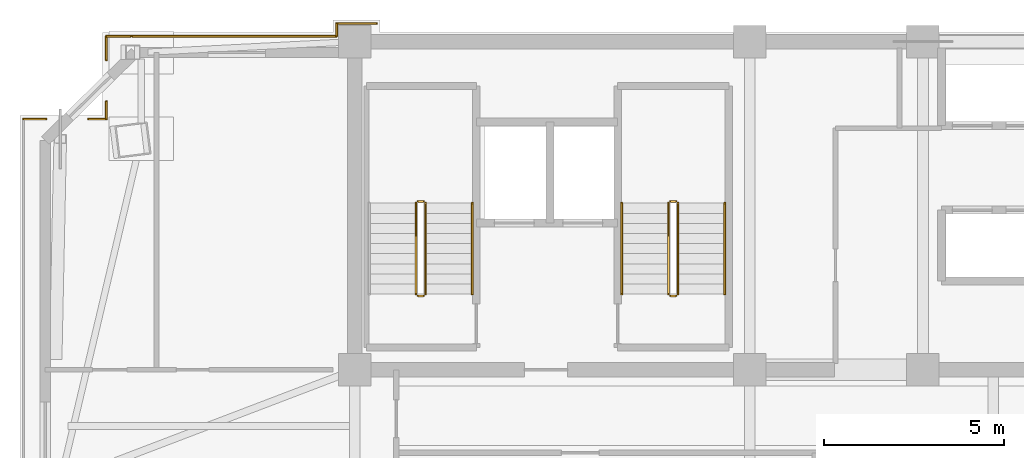
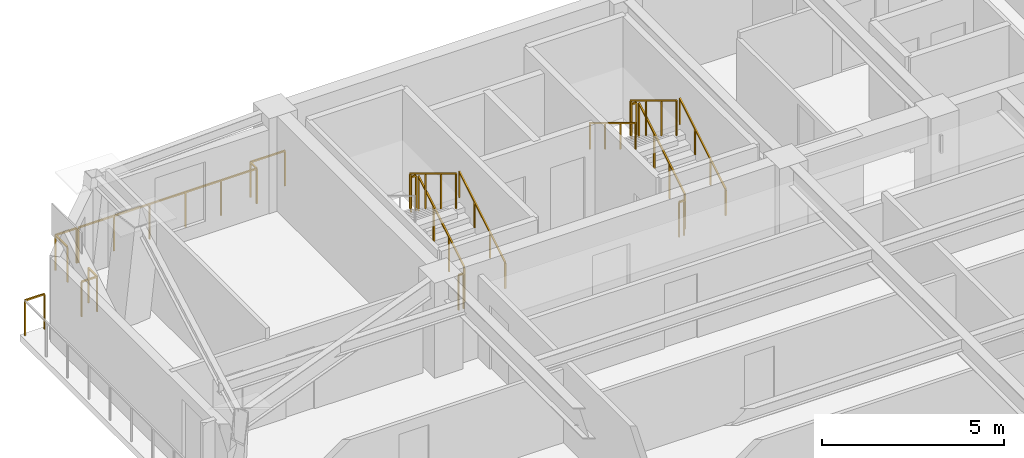
# One storey, part 11 of 13: 19 railings.
"""IFC4 building model written with IfcOpenShell, lengths in metres."""

from ifc_helpers import new_model, si_unit, direction, frame, origin, origin_2d, place, context, subcontext, project, spatial, rectangle, extrude, material, type_object, element, save


model = new_model("IFC4")

# Units and contexts
model_context = context("Model", 3, precision=1e-05, world=origin(), true_north=direction((0.0, 1.0)))
body_context = subcontext(model_context, "Body", "Model", "MODEL_VIEW")
ifc_project = project(units=[si_unit("LENGTHUNIT", "METRE"), si_unit("AREAUNIT", "SQUARE_METRE"), si_unit("VOLUMEUNIT", "CUBIC_METRE"), si_unit("PLANEANGLEUNIT", "RADIAN"), si_unit("MASSUNIT", "GRAM", prefix="KILO")], contexts=[model_context])

# Site, building, storey
site_placement = place(None, origin())
site = spatial("IfcSite", under=ifc_project, at=site_placement, CompositionType="ELEMENT")
building_placement = place(site_placement, origin())
building = spatial("IfcBuilding", under=site, at=building_placement, Name="Giltprow Tower", CompositionType="ELEMENT")
storey_placement = place(building_placement, frame((0.0, 0.0, 332.300048828125)))
storey = spatial("IfcBuildingStorey", under=building, at=storey_placement, Name="L86", CompositionType="ELEMENT", Elevation=332.300048828125)

# Railings
ifc_material = material(Name="Anodized bronze", Category="metal")
railing_type_1 = type_object("IfcRailingType", Name="RAIL-BALC-GUARD-1200", PredefinedType="BALUSTRADE", material=ifc_material)
railing_1_placement = place(storey_placement, frame((10.669921875, 44.407958984375, 0.0)))
element("IfcRailing", 1, at=railing_1_placement, inside=storey, type_object=railing_type_1, Name="L86 Corner Apron Edge Balustrade 14", PredefinedType="BALUSTRADE", context=body_context, shape_type="SweptSolid", body=[
    extrude(rectangle(XDim=0.048095703125, YDim=0.048095703125, at=origin_2d()), frame((0.0, 0.0, 1.17578125), z_axis=(1.0, 0.0, 0.0), x_axis=(0.0, 1.0, 0.0)), (0.0, 0.0, 1.0), 0.6259765625),
    extrude(rectangle(XDim=0.0419921875, YDim=0.0419921875, at=origin_2d()), origin(), (0.0, 0.0, 1.0), 1.15185546875),
    extrude(rectangle(XDim=0.0419921875, YDim=0.0419921875, at=origin_2d()), frame((0.6259765625, 0.0, 0.0)), (0.0, 0.0, 1.0), 1.15185546875),
])
railing_2_placement = place(storey_placement, frame((12.468017578125, 44.407958984375, 0.0)))
element("IfcRailing", 2, at=railing_2_placement, inside=storey, type_object=railing_type_1, Name="L86 Corner Apron Edge Balustrade 15", PredefinedType="BALUSTRADE", context=body_context, shape_type="SweptSolid", body=[
    extrude(rectangle(XDim=0.048095703125, YDim=0.048095703125, at=origin_2d()), frame((0.0, 0.0, 1.17578125), z_axis=(1.0, 0.0, 0.0), x_axis=(0.0, 1.0, 0.0)), (0.0, 0.0, 1.0), 0.493896484375),
    extrude(rectangle(XDim=0.0419921875, YDim=0.0419921875, at=origin_2d()), origin(), (0.0, 0.0, 1.0), 1.15185546875),
    extrude(rectangle(XDim=0.0419921875, YDim=0.0419921875, at=origin_2d()), frame((0.493896484375, 0.0, 0.0)), (0.0, 0.0, 1.0), 1.15185546875),
])
railing_3_placement = place(storey_placement, frame((12.9619140625, 44.407958984375, 0.0)))
element("IfcRailing", 3, at=railing_3_placement, inside=storey, type_object=railing_type_1, Name="L86 Corner Apron Edge Balustrade 16", PredefinedType="BALUSTRADE", context=body_context, shape_type="SweptSolid", body=[
    extrude(rectangle(XDim=0.048095703125, YDim=0.048095703125, at=origin_2d()), frame((0.0, 0.0, 1.17578125), z_axis=(0.0, 1.0, 0.0), x_axis=(-1.0, 0.0, 0.0)), (0.0, 0.0, 1.0), 0.484130859375),
    extrude(rectangle(XDim=0.0419921875, YDim=0.0419921875, at=origin_2d()), origin(), (0.0, 0.0, 1.0), 1.15185546875),
    extrude(rectangle(XDim=0.0419921875, YDim=0.0419921875, at=origin_2d()), frame((0.0, 0.484130859375, 0.0)), (0.0, 0.0, 1.0), 1.15185546875),
])
railing_4_placement = place(storey_placement, frame((12.9619140625, 46.0400390625, 0.0)))
element("IfcRailing", 4, at=railing_4_placement, inside=storey, type_object=railing_type_1, Name="L86 Corner Apron Edge Balustrade 17", PredefinedType="BALUSTRADE", context=body_context, shape_type="SweptSolid", body=[
    extrude(rectangle(XDim=0.048095703125, YDim=0.048095703125, at=origin_2d()), frame((0.0, 0.0, 1.17578125), z_axis=(0.0, 1.0, 0.0), x_axis=(-1.0, 0.0, 0.0)), (0.0, 0.0, 1.0), 0.659912109375),
    extrude(rectangle(XDim=0.0419921875, YDim=0.0419921875, at=origin_2d()), origin(), (0.0, 0.0, 1.0), 1.15185546875),
    extrude(rectangle(XDim=0.0419921875, YDim=0.0419921875, at=origin_2d()), frame((0.0, 0.659912109375, 0.0)), (0.0, 0.0, 1.0), 1.15185546875),
])
railing_5_placement = place(storey_placement, frame((12.9619140625, 46.699951171875, 0.0)))
element("IfcRailing", 5, at=railing_5_placement, inside=storey, type_object=railing_type_1, Name="L86 Corner Apron Edge Balustrade 18", PredefinedType="BALUSTRADE", context=body_context, shape_type="SweptSolid", body=[
    extrude(rectangle(XDim=0.048095703125, YDim=0.048095703125, at=origin_2d()), frame((0.0, 0.0, 1.17578125), z_axis=(1.0, 0.0, 0.0), x_axis=(0.0, 1.0, 0.0)), (0.0, 0.0, 1.0), 0.673095703125),
    extrude(rectangle(XDim=0.0419921875, YDim=0.0419921875, at=origin_2d()), origin(), (0.0, 0.0, 1.0), 1.15185546875),
    extrude(rectangle(XDim=0.0419921875, YDim=0.0419921875, at=origin_2d()), frame((0.673095703125, 0.0, 0.0)), (0.0, 0.0, 1.0), 1.15185546875),
])
railing_6_placement = place(storey_placement, frame((13.68505859375, 46.699951171875, 0.0)))
element("IfcRailing", 6, at=railing_6_placement, inside=storey, type_object=railing_type_1, Name="L86 Corner Apron Edge Balustrade 19", PredefinedType="BALUSTRADE", context=body_context, shape_type="SweptSolid", body=[
    extrude(rectangle(XDim=0.048095703125, YDim=0.048095703125, at=origin_2d()), frame((0.0, 0.0, 1.17578125), z_axis=(1.0, 0.0, 0.0), x_axis=(0.0, 1.0, 0.0)), (0.0, 0.0, 1.0), 5.6650390625),
    extrude(rectangle(XDim=0.0419921875, YDim=0.0419921875, at=origin_2d()), origin(), (0.0, 0.0, 1.0), 1.15185546875),
    extrude(rectangle(XDim=0.0419921875, YDim=0.0419921875, at=origin_2d()), frame((1.133056640625, 0.0, 0.0)), (0.0, 0.0, 1.0), 1.15185546875),
    extrude(rectangle(XDim=0.0419921875, YDim=0.0419921875, at=origin_2d()), frame((2.26611328125, 0.0, 0.0)), (0.0, 0.0, 1.0), 1.15185546875),
    extrude(rectangle(XDim=0.0419921875, YDim=0.0419921875, at=origin_2d()), frame((3.39892578125, 0.0, 0.0)), (0.0, 0.0, 1.0), 1.15185546875),
    extrude(rectangle(XDim=0.0419921875, YDim=0.0419921875, at=origin_2d()), frame((4.531982421875, 0.0, 0.0)), (0.0, 0.0, 1.0), 1.15185546875),
    extrude(rectangle(XDim=0.0419921875, YDim=0.0419921875, at=origin_2d()), frame((5.6650390625, 0.0, 0.0)), (0.0, 0.0, 1.0), 1.15185546875),
])
railing_7_placement = place(storey_placement, frame((19.35009765625, 46.699951171875, 0.0)))
element("IfcRailing", 7, at=railing_7_placement, inside=storey, type_object=railing_type_1, Name="L86 Corner Apron Edge Balustrade 20", PredefinedType="BALUSTRADE", context=body_context, shape_type="SweptSolid", body=[
    extrude(rectangle(XDim=0.048095703125, YDim=0.048095703125, at=origin_2d()), frame((0.0, 0.0, 1.17578125), z_axis=(0.0, 1.0, 0.0), x_axis=(-1.0, 0.0, 0.0)), (0.0, 0.0, 1.0), 0.35009765625),
    extrude(rectangle(XDim=0.0419921875, YDim=0.0419921875, at=origin_2d()), origin(), (0.0, 0.0, 1.0), 1.15185546875),
    extrude(rectangle(XDim=0.0419921875, YDim=0.0419921875, at=origin_2d()), frame((0.0, 0.35009765625, 0.0)), (0.0, 0.0, 1.0), 1.15185546875),
])
railing_8_placement = place(storey_placement, frame((19.35009765625, 47.050048828125, 0.0)))
element("IfcRailing", 8, at=railing_8_placement, inside=storey, type_object=railing_type_1, Name="L86 Corner Apron Edge Balustrade 21", PredefinedType="BALUSTRADE", context=body_context, shape_type="SweptSolid", body=[
    extrude(rectangle(XDim=0.048095703125, YDim=0.048095703125, at=origin_2d()), frame((0.0, 0.0, 1.17578125), z_axis=(1.0, 0.0, 0.0), x_axis=(0.0, 1.0, 0.0)), (0.0, 0.0, 1.0), 1.099853515625),
    extrude(rectangle(XDim=0.0419921875, YDim=0.0419921875, at=origin_2d()), origin(), (0.0, 0.0, 1.0), 1.15185546875),
    extrude(rectangle(XDim=0.0419921875, YDim=0.0419921875, at=origin_2d()), frame((1.099853515625, 0.0, 0.0)), (0.0, 0.0, 1.0), 1.15185546875),
])
railing_type_2 = type_object("IfcRailingType", Name="RAIL-STAIR-GUARD-1200", PredefinedType="GUARDRAIL", material=ifc_material)
railing_9_placement = place(storey_placement, frame((21.81005859375, 39.550048828125, 0.169921875)))
element("IfcRailing", 9, at=railing_9_placement, inside=storey, type_object=railing_type_2, Name="L86 ST-1 stair guard 1", PredefinedType="GUARDRAIL", context=body_context, shape_type="SweptSolid", body=[
    extrude(rectangle(XDim=0.048095703125, YDim=0.048095703125, at=origin_2d()), frame((0.0, 0.0, 1.17578125), z_axis=(0.0, 0.85478489116, 0.518982456201), x_axis=(-1.0, 0.0, 0.0)), (0.0, 0.0, 1.0), 2.9482421875),
    extrude(rectangle(XDim=0.0419921875, YDim=0.0419921875, at=origin_2d()), origin(), (0.0, 0.0, 1.0), 1.15185546875),
    extrude(rectangle(XDim=0.0419921875, YDim=0.0419921875, at=origin_2d()), frame((0.0, 0.840087890625, 0.510009765625)), (0.0, 0.0, 1.0), 1.15185546875),
    extrude(rectangle(XDim=0.0419921875, YDim=0.0419921875, at=origin_2d()), frame((0.0, 1.679931640625, 1.02001953125)), (0.0, 0.0, 1.0), 1.15185546875),
    extrude(rectangle(XDim=0.0419921875, YDim=0.0419921875, at=origin_2d()), frame((0.0, 2.52001953125, 1.530029296875)), (0.0, 0.0, 1.0), 1.15185546875),
])
railing_10_placement = place(storey_placement, frame((21.760009765625, 42.1201171875, 1.699951171875)))
element("IfcRailing", 10, at=railing_10_placement, inside=storey, type_object=railing_type_2, Name="L86 ST-1 stair guard 2", PredefinedType="GUARDRAIL", context=body_context, shape_type="SweptSolid", body=[
    extrude(rectangle(XDim=0.048095703125, YDim=0.048095703125, at=origin_2d()), frame((0.0, 0.0, 1.17578125), z_axis=(-1.0, 0.0, 0.0), x_axis=(0.0, -1.0, 0.0)), (0.0, 0.0, 1.0), 0.159912109375),
    extrude(rectangle(XDim=0.0419921875, YDim=0.0419921875, at=origin_2d()), origin(), (0.0, 0.0, 1.0), 1.15185546875),
    extrude(rectangle(XDim=0.0419921875, YDim=0.0419921875, at=origin_2d()), frame((-0.159912109375, 0.0, 0.0)), (0.0, 0.0, 1.0), 1.15185546875),
])
railing_11_placement = place(storey_placement, frame((21.550048828125, 42.070068359375, 1.869873046875)))
element("IfcRailing", 11, at=railing_11_placement, inside=storey, type_object=railing_type_2, Name="L86 ST-1 stair guard 3", PredefinedType="GUARDRAIL", context=body_context, shape_type="SweptSolid", body=[
    extrude(rectangle(XDim=0.048095703125, YDim=0.048095703125, at=origin_2d()), frame((0.0, 0.0, 1.17578125), z_axis=(0.0, -0.85478489116, 0.518982456201), x_axis=(1.0, 0.0, 0.0)), (0.0, 0.0, 1.0), 2.9482421875),
    extrude(rectangle(XDim=0.0419921875, YDim=0.0419921875, at=origin_2d()), origin(), (0.0, 0.0, 1.0), 1.15185546875),
    extrude(rectangle(XDim=0.0419921875, YDim=0.0419921875, at=origin_2d()), frame((0.0, -0.840087890625, 0.510009765625)), (0.0, 0.0, 1.0), 1.15185546875),
    extrude(rectangle(XDim=0.0419921875, YDim=0.0419921875, at=origin_2d()), frame((0.0, -1.679931640625, 1.02001953125)), (0.0, 0.0, 1.0), 1.15185546875),
    extrude(rectangle(XDim=0.0419921875, YDim=0.0419921875, at=origin_2d()), frame((0.0, -2.52001953125, 1.530029296875)), (0.0, 0.0, 1.0), 1.15185546875),
])
railing_12_placement = place(storey_placement, frame((21.760009765625, 39.5, 0.0)))
element("IfcRailing", 12, at=railing_12_placement, inside=storey, type_object=railing_type_2, Name="L86 ST-1 stair guard 4", PredefinedType="GUARDRAIL", context=body_context, shape_type="SweptSolid", body=[
    extrude(rectangle(XDim=0.048095703125, YDim=0.048095703125, at=origin_2d()), frame((0.0, 0.0, 1.17578125), z_axis=(-1.0, 0.0, 0.0), x_axis=(0.0, -1.0, 0.0)), (0.0, 0.0, 1.0), 0.159912109375),
    extrude(rectangle(XDim=0.0419921875, YDim=0.0419921875, at=origin_2d()), origin(), (0.0, 0.0, 1.0), 1.15185546875),
    extrude(rectangle(XDim=0.0419921875, YDim=0.0419921875, at=origin_2d()), frame((-0.159912109375, 0.0, 0.0)), (0.0, 0.0, 1.0), 1.15185546875),
])
railing_13_placement = place(storey_placement, frame((28.81005859375, 39.550048828125, 0.169921875)))
element("IfcRailing", 13, at=railing_13_placement, inside=storey, type_object=railing_type_2, Name="L86 ST-2 stair guard 1", PredefinedType="GUARDRAIL", context=body_context, shape_type="SweptSolid", body=[
    extrude(rectangle(XDim=0.048095703125, YDim=0.048095703125, at=origin_2d()), frame((0.0, 0.0, 1.17578125), z_axis=(0.0, 0.85478489116, 0.518982456201), x_axis=(-1.0, 0.0, 0.0)), (0.0, 0.0, 1.0), 2.9482421875),
    extrude(rectangle(XDim=0.0419921875, YDim=0.0419921875, at=origin_2d()), origin(), (0.0, 0.0, 1.0), 1.15185546875),
    extrude(rectangle(XDim=0.0419921875, YDim=0.0419921875, at=origin_2d()), frame((0.0, 0.840087890625, 0.510009765625)), (0.0, 0.0, 1.0), 1.15185546875),
    extrude(rectangle(XDim=0.0419921875, YDim=0.0419921875, at=origin_2d()), frame((0.0, 1.679931640625, 1.02001953125)), (0.0, 0.0, 1.0), 1.15185546875),
    extrude(rectangle(XDim=0.0419921875, YDim=0.0419921875, at=origin_2d()), frame((0.0, 2.52001953125, 1.530029296875)), (0.0, 0.0, 1.0), 1.15185546875),
])
railing_14_placement = place(storey_placement, frame((28.760009765625, 42.1201171875, 1.699951171875)))
element("IfcRailing", 14, at=railing_14_placement, inside=storey, type_object=railing_type_2, Name="L86 ST-2 stair guard 2", PredefinedType="GUARDRAIL", context=body_context, shape_type="SweptSolid", body=[
    extrude(rectangle(XDim=0.048095703125, YDim=0.048095703125, at=origin_2d()), frame((0.0, 0.0, 1.17578125), z_axis=(-1.0, 0.0, 0.0), x_axis=(0.0, -1.0, 0.0)), (0.0, 0.0, 1.0), 0.159912109375),
    extrude(rectangle(XDim=0.0419921875, YDim=0.0419921875, at=origin_2d()), origin(), (0.0, 0.0, 1.0), 1.15185546875),
    extrude(rectangle(XDim=0.0419921875, YDim=0.0419921875, at=origin_2d()), frame((-0.159912109375, 0.0, 0.0)), (0.0, 0.0, 1.0), 1.15185546875),
])
railing_15_placement = place(storey_placement, frame((28.550048828125, 42.070068359375, 1.869873046875)))
element("IfcRailing", 15, at=railing_15_placement, inside=storey, type_object=railing_type_2, Name="L86 ST-2 stair guard 3", PredefinedType="GUARDRAIL", context=body_context, shape_type="SweptSolid", body=[
    extrude(rectangle(XDim=0.048095703125, YDim=0.048095703125, at=origin_2d()), frame((0.0, 0.0, 1.17578125), z_axis=(0.0, -0.85478489116, 0.518982456201), x_axis=(1.0, 0.0, 0.0)), (0.0, 0.0, 1.0), 2.9482421875),
    extrude(rectangle(XDim=0.0419921875, YDim=0.0419921875, at=origin_2d()), origin(), (0.0, 0.0, 1.0), 1.15185546875),
    extrude(rectangle(XDim=0.0419921875, YDim=0.0419921875, at=origin_2d()), frame((0.0, -0.840087890625, 0.510009765625)), (0.0, 0.0, 1.0), 1.15185546875),
    extrude(rectangle(XDim=0.0419921875, YDim=0.0419921875, at=origin_2d()), frame((0.0, -1.679931640625, 1.02001953125)), (0.0, 0.0, 1.0), 1.15185546875),
    extrude(rectangle(XDim=0.0419921875, YDim=0.0419921875, at=origin_2d()), frame((0.0, -2.52001953125, 1.530029296875)), (0.0, 0.0, 1.0), 1.15185546875),
])
railing_16_placement = place(storey_placement, frame((28.760009765625, 39.5, 0.0)))
element("IfcRailing", 16, at=railing_16_placement, inside=storey, type_object=railing_type_2, Name="L86 ST-2 stair guard 4", PredefinedType="GUARDRAIL", context=body_context, shape_type="SweptSolid", body=[
    extrude(rectangle(XDim=0.048095703125, YDim=0.048095703125, at=origin_2d()), frame((0.0, 0.0, 1.17578125), z_axis=(-1.0, 0.0, 0.0), x_axis=(0.0, -1.0, 0.0)), (0.0, 0.0, 1.0), 0.159912109375),
    extrude(rectangle(XDim=0.0419921875, YDim=0.0419921875, at=origin_2d()), origin(), (0.0, 0.0, 1.0), 1.15185546875),
    extrude(rectangle(XDim=0.0419921875, YDim=0.0419921875, at=origin_2d()), frame((-0.159912109375, 0.0, 0.0)), (0.0, 0.0, 1.0), 1.15185546875),
])
railing_type_3 = type_object("IfcRailingType", Name="RAIL-STAIR-HAND-900", PredefinedType="HANDRAIL", material=ifc_material)
for number, where, name in (
    (17, (23.110107421875, 39.550048828125, 0.169921875), "L86 ST-1 stair handrail 1"),
    (18, (30.110107421875, 39.550048828125, 0.169921875), "L86 ST-2 stair handrail 1"),
):
    element("IfcRailing", number, at=place(storey_placement, frame(where)), inside=storey, type_object=railing_type_3, Name=name, PredefinedType="HANDRAIL", context=body_context, shape_type="SweptSolid", body=[
        extrude(rectangle(XDim=0.048095703125, YDim=0.048095703125, at=origin_2d()), frame((0.0, 0.0, 0.8759765625), z_axis=(0.0, 0.85478489116, 0.518982456201), x_axis=(-1.0, 0.0, 0.0)), (0.0, 0.0, 1.0), 2.9482421875),
        extrude(rectangle(XDim=0.0419921875, YDim=0.0419921875, at=origin_2d()), origin(), (0.0, 0.0, 1.0), 0.851806640625),
        extrude(rectangle(XDim=0.0419921875, YDim=0.0419921875, at=origin_2d()), frame((0.0, 0.840087890625, 0.510009765625)), (0.0, 0.0, 1.0), 0.851806640625),
        extrude(rectangle(XDim=0.0419921875, YDim=0.0419921875, at=origin_2d()), frame((0.0, 1.679931640625, 1.02001953125)), (0.0, 0.0, 1.0), 0.851806640625),
        extrude(rectangle(XDim=0.0419921875, YDim=0.0419921875, at=origin_2d()), frame((0.0, 2.52001953125, 1.530029296875)), (0.0, 0.0, 1.0), 0.851806640625),
    ])
railing_17_placement = place(storey_placement, frame((27.25, 42.070068359375, 1.869873046875)))
element("IfcRailing", 19, at=railing_17_placement, inside=storey, type_object=railing_type_3, Name="L86 ST-2 stair handrail 2", PredefinedType="HANDRAIL", context=body_context, shape_type="SweptSolid", body=[
    extrude(rectangle(XDim=0.048095703125, YDim=0.048095703125, at=origin_2d()), frame((0.0, 0.0, 0.8759765625), z_axis=(0.0, -0.85478489116, 0.518982456201), x_axis=(1.0, 0.0, 0.0)), (0.0, 0.0, 1.0), 2.9482421875),
    extrude(rectangle(XDim=0.0419921875, YDim=0.0419921875, at=origin_2d()), origin(), (0.0, 0.0, 1.0), 0.851806640625),
    extrude(rectangle(XDim=0.0419921875, YDim=0.0419921875, at=origin_2d()), frame((0.0, -0.840087890625, 0.510009765625)), (0.0, 0.0, 1.0), 0.851806640625),
    extrude(rectangle(XDim=0.0419921875, YDim=0.0419921875, at=origin_2d()), frame((0.0, -1.679931640625, 1.02001953125)), (0.0, 0.0, 1.0), 0.851806640625),
    extrude(rectangle(XDim=0.0419921875, YDim=0.0419921875, at=origin_2d()), frame((0.0, -2.52001953125, 1.530029296875)), (0.0, 0.0, 1.0), 0.851806640625),
])

save(model, "model.ifc")
